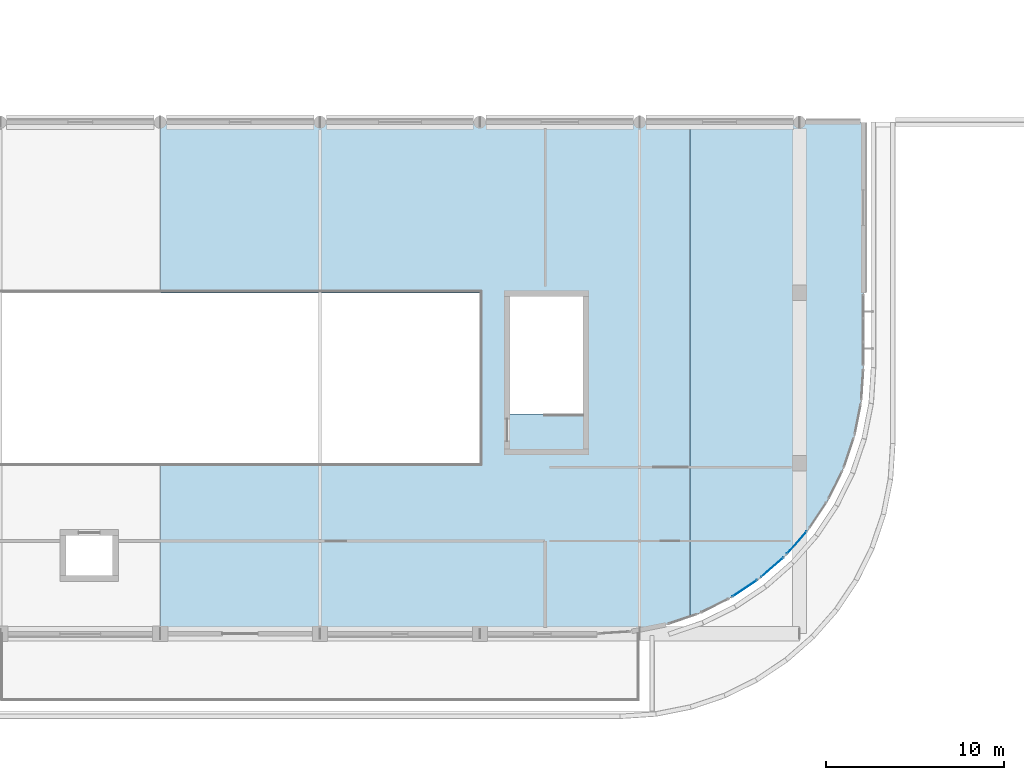
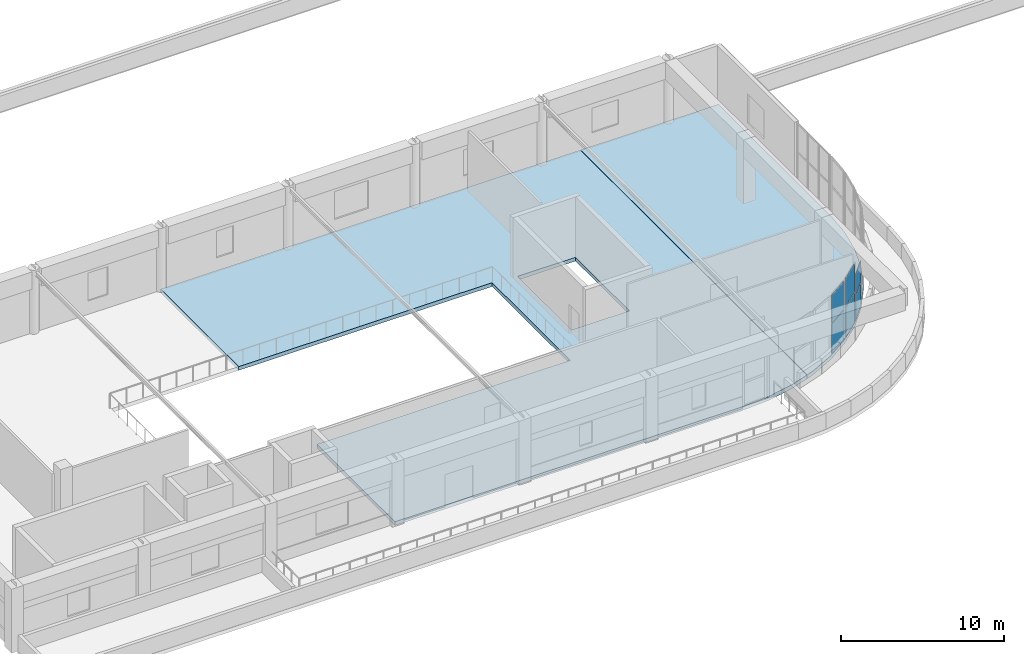
# One storey, part 29 of 67: 6 plates, 2 slabs, 3 elements without a shape of their own.
"""IFC4 building model written with IfcOpenShell, lengths in metres."""

from ifc_helpers import new_model, si_unit, direction, frame, origin, origin_2d, place, context, subcontext, project, spatial, polyline, rectangle, outline, extrude, material, layer, layer_set, type_object, element, aggregate, save


model = new_model("IFC4")

# Units and contexts
model_context = context("Model", 3, precision=1e-05, world=origin(), true_north=direction((0.0, 1.0)))
body_context = subcontext(model_context, "Body", "Model", "MODEL_VIEW")
ifc_project = project(units=[si_unit("LENGTHUNIT", "METRE"), si_unit("AREAUNIT", "SQUARE_METRE"), si_unit("VOLUMEUNIT", "CUBIC_METRE"), si_unit("PLANEANGLEUNIT", "RADIAN"), si_unit("MASSUNIT", "GRAM", prefix="KILO")], contexts=[model_context])

# Site, building, storey
site_placement = place(None, origin())
site = spatial("IfcSite", under=ifc_project, at=site_placement, CompositionType="ELEMENT")
building_placement = place(site_placement, origin())
building = spatial("IfcBuilding", under=site, at=building_placement, Name="Cendralis Terraced Arcade", CompositionType="ELEMENT")
storey_placement = place(building_placement, frame((0.0, 0.0, 15.0)))
storey = spatial("IfcBuildingStorey", under=building, at=storey_placement, Name="L03", CompositionType="ELEMENT", Elevation=15.0)

# Curtain wall, plates
ifc_material_1 = material(Name="Anodised aluminium EN AW-6063 T6", Category="aluminium")
ifc_layer_1 = layer(ifc_material_1, 0.179931640625, Name="CW-UNIT-A")
ifc_layer_set_1 = layer_set([ifc_layer_1], Name="Anodised aluminium EN AW-6063 T6")
curtain_wall_type = type_object("IfcCurtainWallType", Name="CW-UNIT-A", PredefinedType="USERDEFINED", material=ifc_layer_set_1)
curtain_wall_1_placement = place(storey_placement, origin())
curtain_wall_1 = element("IfcCurtainWall", 1, at=curtain_wall_1_placement, inside=storey, type_object=curtain_wall_type, Name="Exterior Unitised Facade CW-L03-0264", ObjectType="UNITISED FACADE", PredefinedType="USERDEFINED")
ifc_material_2 = material(Name="Tempered solar control laminated glass", Category="glass")
ifc_layer_2 = layer(ifc_material_2, 0.035888671875, Name="CW-UNIT-A-PNL")
ifc_layer_set_2 = layer_set([ifc_layer_2], Name="Tempered solar control laminated glass")
plate_type = type_object("IfcPlateType", Name="CW-UNIT-A-PNL", PredefinedType="CURTAIN_PANEL", material=ifc_layer_set_2)
plate_1_placement = place(storey_placement, frame((130.053466796875, 14.73095703125, 0.06494140625), z_axis=(0.0, 0.0, 1.0), x_axis=(-0.659386076266, -0.751804497477, 0.0)))
plate_1 = element("IfcPlate", 2, at=plate_1_placement, type_object=plate_type, Name="CW-U1 panel 1.1", PredefinedType="CURTAIN_PANEL", context=body_context, shape_type="SweptSolid", body=[
    extrude(rectangle(XDim=1.652099609375, YDim=0.035888671875, at=origin_2d()), origin(), (0.0, 0.0, 1.0), 1.71728515625),
])
plate_2_placement = place(storey_placement, frame((130.053466796875, 14.73095703125, 1.847412109375), z_axis=(0.0, 0.0, 1.0), x_axis=(-0.659386076266, -0.751804497477, 0.0)))
plate_2 = element("IfcPlate", 3, at=plate_2_placement, type_object=plate_type, Name="CW-U1 panel 1.2", PredefinedType="CURTAIN_PANEL", context=body_context, shape_type="SweptSolid", body=[
    extrude(rectangle(XDim=1.652099609375, YDim=0.035888671875, at=origin_2d()), origin(), (0.0, 0.0, 1.0), 1.57763671875),
])
aggregate(curtain_wall_1, [plate_1, plate_2])

curtain_wall_2_placement = place(storey_placement, origin())
curtain_wall_2 = element("IfcCurtainWall", 4, at=curtain_wall_2_placement, inside=storey, type_object=curtain_wall_type, Name="Exterior Unitised Facade CW-L03-0265", ObjectType="UNITISED FACADE", PredefinedType="USERDEFINED")
plate_3_placement = place(storey_placement, frame((128.6689453125, 13.346435546875, 0.06494140625), z_axis=(0.0, 0.0, 1.0), x_axis=(-0.751804497477, -0.659386076266, 0.0)))
plate_3 = element("IfcPlate", 5, at=plate_3_placement, type_object=plate_type, Name="CW-U1 panel 1.1", PredefinedType="CURTAIN_PANEL", context=body_context, shape_type="SweptSolid", body=[
    extrude(rectangle(XDim=1.652099609375, YDim=0.035888671875, at=origin_2d()), origin(), (0.0, 0.0, 1.0), 2.2529296875),
])
plate_4_placement = place(storey_placement, frame((128.6689453125, 13.346435546875, 2.3828125), z_axis=(0.0, 0.0, 1.0), x_axis=(-0.751804497477, -0.659386076266, 0.0)))
plate_4 = element("IfcPlate", 6, at=plate_4_placement, type_object=plate_type, Name="CW-U1 panel 1.2", PredefinedType="CURTAIN_PANEL", context=body_context, shape_type="SweptSolid", body=[
    extrude(rectangle(XDim=1.652099609375, YDim=0.035888671875, at=origin_2d()), origin(), (0.0, 0.0, 1.0), 2.072021484375),
])
aggregate(curtain_wall_2, [plate_3, plate_4])

curtain_wall_3_placement = place(storey_placement, origin())
curtain_wall_3 = element("IfcCurtainWall", 7, at=curtain_wall_3_placement, inside=storey, type_object=curtain_wall_type, Name="Exterior Unitised Facade CW-L03-0266", ObjectType="UNITISED FACADE", PredefinedType="USERDEFINED")
plate_5_placement = place(storey_placement, frame((127.11572265625, 12.154541015625, 0.06494140625), z_axis=(0.0, 0.0, 1.0), x_axis=(-0.831471454125, -0.555567476528, 0.0)))
plate_5 = element("IfcPlate", 8, at=plate_5_placement, type_object=plate_type, Name="CW-U1 panel 1.1", PredefinedType="CURTAIN_PANEL", context=body_context, shape_type="SweptSolid", body=[
    extrude(rectangle(XDim=1.652099609375, YDim=0.035888671875, at=origin_2d()), origin(), (0.0, 0.0, 1.0), 2.2529296875),
])
plate_6_placement = place(storey_placement, frame((127.11572265625, 12.154541015625, 2.3828125), z_axis=(0.0, 0.0, 1.0), x_axis=(-0.831471454125, -0.555567476528, 0.0)))
plate_6 = element("IfcPlate", 9, at=plate_6_placement, type_object=plate_type, Name="CW-U1 panel 1.2", PredefinedType="CURTAIN_PANEL", context=body_context, shape_type="SweptSolid", body=[
    extrude(rectangle(XDim=1.652099609375, YDim=0.035888671875, at=origin_2d()), origin(), (0.0, 0.0, 1.0), 2.072021484375),
])
aggregate(curtain_wall_3, [plate_5, plate_6])

# Slabs
ifc_material_3 = material(Name="Concrete f'c 35 MPa", Category="concrete")
ifc_layer_3 = layer(ifc_material_3, 0.284912109375, Name="SLB-L03-285")
ifc_layer_set_3 = layer_set([ifc_layer_3], Name="Concrete f'c 35 MPa")
slab_type = type_object("IfcSlabType", Name="SLB-L03-285", PredefinedType="FLOOR", material=ifc_layer_set_3)
slab_1_placement = place(storey_placement, frame((0.0, 0.0, -0.284912109375)))
element("IfcSlab", 10, at=slab_1_placement, inside=storey, type_object=slab_type, Name="Reinforced Concrete Floor Slab SLB-L03-V4-C2-1", PredefinedType="FLOOR", context=body_context, shape_type="SweptSolid", body=[
    extrude(outline(polyline([(122.682373046875, 10.111083984375), (120.7578125, 9.728271484375), (118.800048828125, 9.60009765625), (94.219970703125, 9.60009765625), (94.219970703125, 19.199951171875), (112.199951171875, 19.199951171875), (112.199951171875, 28.800048828125), (94.219970703125, 28.800048828125), (94.219970703125, 38.39990234375), (124.0, 38.39990234375), (124.0, 10.558349609375), (122.682373046875, 10.111083984375)]), holes=[polyline([(118.0, 28.60009765625), (113.89990234375, 28.60009765625), (113.89990234375, 21.97998046875), (118.0, 21.97998046875), (118.0, 28.60009765625)])]), origin(), (0.0, 0.0, 1.0), 0.284912109375),
])
slab_2_placement = place(storey_placement, frame((0.0, 0.0, -0.284912109375)))
element("IfcSlab", 11, at=slab_2_placement, inside=storey, type_object=slab_type, Name="Reinforced Concrete Floor Slab SLB-L03-V4-E1-1", PredefinedType="FLOOR", context=body_context, shape_type="SweptSolid", body=[
    extrude(outline(polyline([(133.671630859375, 22.64208984375), (133.288818359375, 20.7177734375), (132.658203125, 18.859619140625), (131.790283203125, 17.10009765625), (130.7001953125, 15.468505859375), (129.406494140625, 13.993408203125), (127.931396484375, 12.69970703125), (126.300048828125, 11.609619140625), (124.540283203125, 10.74169921875), (124.02001953125, 10.565185546875), (124.02001953125, 38.39990234375), (133.800048828125, 38.39990234375), (133.800048828125, 24.60009765625), (133.671630859375, 22.64208984375)])), origin(), (0.0, 0.0, 1.0), 0.284912109375),
])

save(model, "model.ifc")
